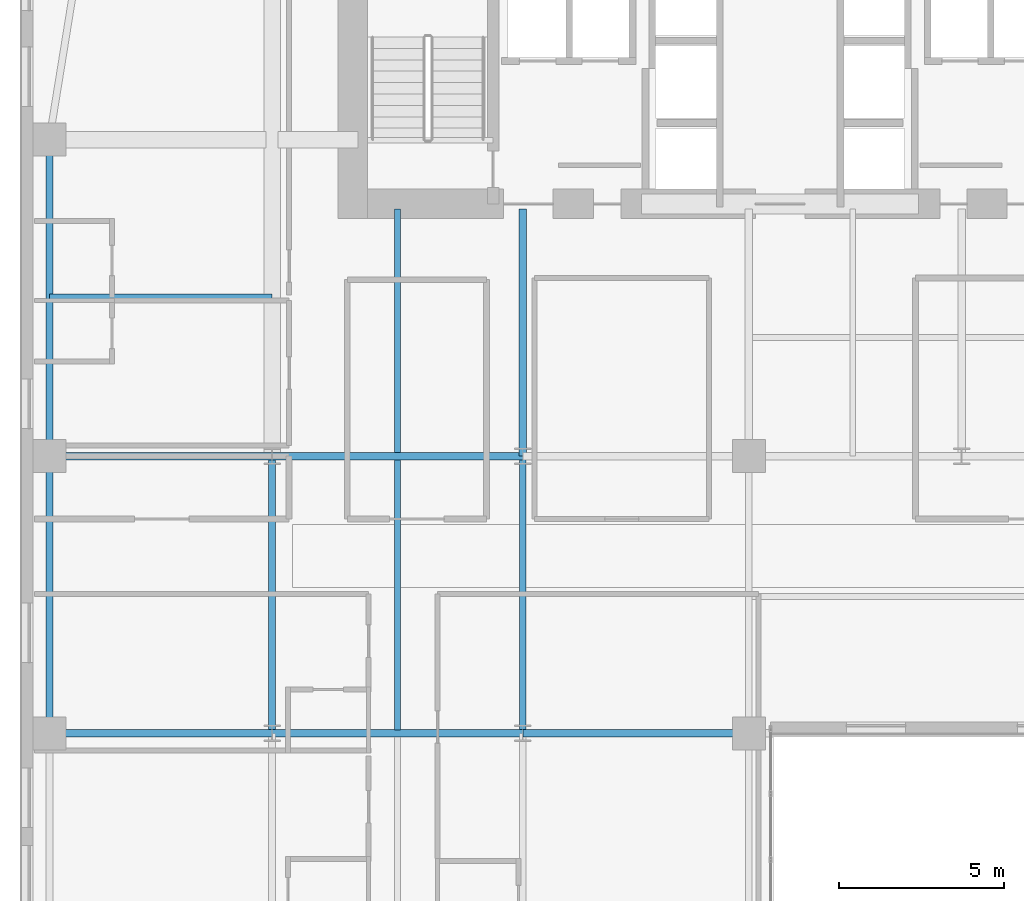
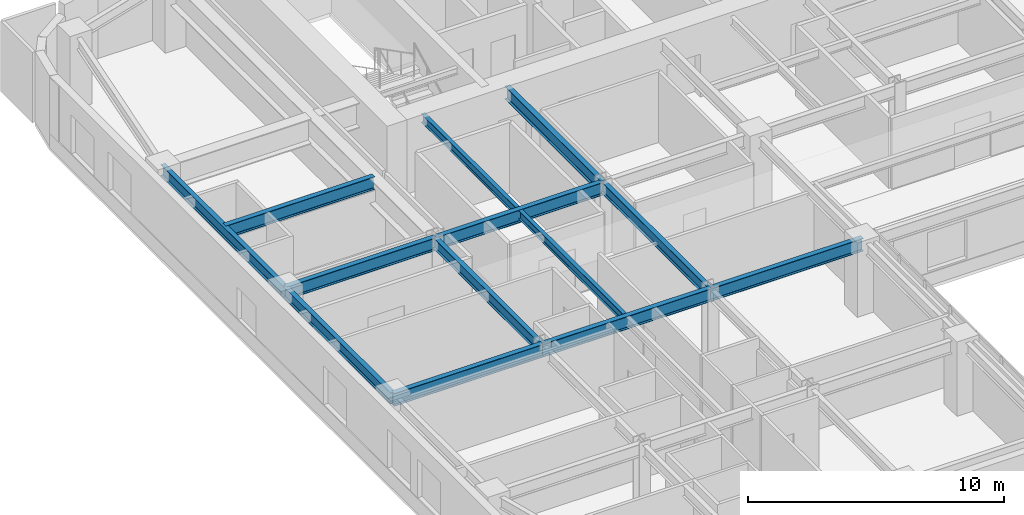
# One storey, part 4 of 25: 13 beams.
"""IFC4 building model written with IfcOpenShell, lengths in metres."""

from ifc_helpers import new_model, si_unit, direction, frame, origin, origin_2d, place, context, subcontext, project, spatial, i_section, extrude, source, transform, mapped, material, material_profile, profile_set, type_object, type_shapes, element, save


model = new_model("IFC4")

# Units and contexts
model_context = context("Model", 3, precision=1e-05, world=origin(), true_north=direction((0.0, 1.0)))
body_context = subcontext(model_context, "Body", "Model", "MODEL_VIEW")
ifc_project = project(units=[si_unit("LENGTHUNIT", "METRE"), si_unit("AREAUNIT", "SQUARE_METRE"), si_unit("VOLUMEUNIT", "CUBIC_METRE"), si_unit("PLANEANGLEUNIT", "RADIAN"), si_unit("MASSUNIT", "GRAM", prefix="KILO")], contexts=[model_context])

# Site, building, storey
site_placement = place(None, origin())
site = spatial("IfcSite", under=ifc_project, at=site_placement, CompositionType="ELEMENT")
building_placement = place(site_placement, origin())
building = spatial("IfcBuilding", under=site, at=building_placement, Name="Tolvann Quenvar Hotel", CompositionType="ELEMENT")
storey_placement = place(building_placement, frame((0.0, 0.0, 60.39990234375)))
storey = spatial("IfcBuildingStorey", under=building, at=storey_placement, Name="L14", CompositionType="ELEMENT", Elevation=60.39990234375)

# Beams
ifc_material = material(Name="Steel Grade 350", Category="steel")
ifc_material_profile_1 = material_profile(ifc_material, i_section(OverallWidth=0.22900390625, OverallDepth=0.612060546875, WebThickness=0.011962890625, FlangeThickness=0.01953125, FilletRadius=0.013916015625, at=origin_2d()), Name="610UB125")
ifc_profile_set_1 = profile_set([ifc_material_profile_1], Name="Steel Grade 350")
beam_type_1 = type_object("IfcBeamType", Name="BM_GIRD_610UB125", PredefinedType="BEAM", material=ifc_profile_set_1)
shared_shape_1 = source(origin(), body_context, "Body", "SweptSolid", [
    extrude(i_section(OverallWidth=0.22900390625, OverallDepth=0.612060546875, WebThickness=0.011962890625, FlangeThickness=0.01953125, FilletRadius=0.013916015625, at=origin_2d()), origin(), (0.0, 0.0, 1.0), 6.75),
])
for number, where, z_axis, x_axis, name in (
    (1, (0.85009765625, 16.0, 3.064208984375), (1.0, 0.0, 0.0), (0.0, 1.0, 0.0), "BM-L14-EW-4-B4-C4"),
    (2, (0.85009765625, 24.39990234375, 3.064208984375), (1.0, 0.0, 0.0), (0.0, 1.0, 0.0), "BM-L14-EW-5-B5-C5"),
    (3, (0.85009765625, 29.199951171875, 3.064208984375), (1.0, 0.0, 0.0), (0.0, 1.0, 0.0), "BM-L14-EW-BC29"),
):
    element("IfcBeam", number, at=place(storey_placement, frame(where, z_axis=z_axis, x_axis=x_axis)), inside=storey, type_object=beam_type_1, Name=name, PredefinedType="BEAM", context=body_context, shape_type="MappedRepresentation", body=[
        mapped(shared_shape_1, transform((0.0, 0.0, 0.0), x_axis=(1.0, 0.0, 0.0), y_axis=(0.0, 1.0, 0.0), z_axis=(0.0, 0.0, 1.0), scale=1.0)),
    ])
shared_shape_2 = source(origin(), body_context, "Body", "SweptSolid", [
    extrude(i_section(OverallWidth=0.22900390625, OverallDepth=0.612060546875, WebThickness=0.011962890625, FlangeThickness=0.01953125, FilletRadius=0.013916015625, at=origin_2d()), origin(), (0.0, 0.0, 1.0), 7.599853515625),
])
for number, where, z_axis, x_axis, name in (
    (4, (7.60009765625, 16.0, 3.064208984375), (1.0, 0.0, 0.0), (0.0, 1.0, 0.0), "BM-L14-EW-4-C4-D4"),
    (5, (7.60009765625, 24.39990234375, 3.064208984375), (1.0, 0.0, 0.0), (0.0, 1.0, 0.0), "BM-L14-EW-5-C5-D5"),
):
    element("IfcBeam", number, at=place(storey_placement, frame(where, z_axis=z_axis, x_axis=x_axis)), inside=storey, type_object=beam_type_1, Name=name, PredefinedType="BEAM", context=body_context, shape_type="MappedRepresentation", body=[
        mapped(shared_shape_2, transform((0.0, 0.0, 0.0), x_axis=(1.0, 0.0, 0.0), y_axis=(0.0, 1.0, 0.0), z_axis=(0.0, 0.0, 1.0), scale=1.0)),
    ])
shared_shape_3 = source(origin(), body_context, "Body", "SweptSolid", [
    extrude(i_section(OverallWidth=0.22900390625, OverallDepth=0.612060546875, WebThickness=0.011962890625, FlangeThickness=0.01953125, FilletRadius=0.013916015625, at=origin_2d()), origin(), (0.0, 0.0, 1.0), 6.85009765625),
])
beam_1_placement = place(storey_placement, frame((15.199951171875, 16.0, 3.064208984375), z_axis=(1.0, 0.0, 0.0), x_axis=(0.0, 1.0, 0.0)))
element("IfcBeam", 6, at=beam_1_placement, inside=storey, type_object=beam_type_1, Name="BM-L14-EW-4-D4-E4", PredefinedType="BEAM", context=body_context, shape_type="MappedRepresentation", body=[
    mapped(shared_shape_3, transform((0.0, 0.0, 0.0), x_axis=(1.0, 0.0, 0.0), y_axis=(0.0, 1.0, 0.0), z_axis=(0.0, 0.0, 1.0), scale=1.0)),
])
ifc_material_profile_2 = material_profile(ifc_material, i_section(OverallWidth=0.208984375, OverallDepth=0.528076171875, WebThickness=0.009521484375, FlangeThickness=0.01318359375, FilletRadius=0.013916015625, at=origin_2d()), Name="530UB82")
ifc_profile_set_2 = profile_set([ifc_material_profile_2], Name="Steel Grade 350")
beam_type_2 = type_object("IfcBeamType", Name="BM_SPAND_530UB82", PredefinedType="SPANDREL", material=ifc_profile_set_2)
shared_shape_4 = source(origin(), body_context, "Body", "SweptSolid", [
    extrude(i_section(OverallWidth=0.208984375, OverallDepth=0.528076171875, WebThickness=0.009521484375, FlangeThickness=0.01318359375, FilletRadius=0.013916015625, at=origin_2d()), origin(), (0.0, 0.0, 1.0), 8.39990234375),
])
beam_2_placement = place(storey_placement, frame((0.85009765625, 16.0, 3.106201171875), z_axis=(0.0, 1.0, 0.0), x_axis=(-1.0, 0.0, 0.0)))
element("IfcBeam", 7, at=beam_2_placement, inside=storey, type_object=beam_type_2, Name="BM-L14-NS-B4-B5", PredefinedType="SPANDREL", context=body_context, shape_type="MappedRepresentation", body=[
    mapped(shared_shape_4, transform((0.0, 0.0, 0.0), x_axis=(1.0, 0.0, 0.0), y_axis=(0.0, 1.0, 0.0), z_axis=(0.0, 0.0, 1.0), scale=1.0)),
])
ifc_material_profile_3 = material_profile(ifc_material, i_section(OverallWidth=0.208984375, OverallDepth=0.532958984375, WebThickness=0.01025390625, FlangeThickness=0.015625, FilletRadius=0.013916015625, at=origin_2d()), Name="530UB92")
ifc_profile_set_3 = profile_set([ifc_material_profile_3], Name="Steel Grade 350")
beam_type_3 = type_object("IfcBeamType", Name="BM_GIRD_530UB92", PredefinedType="BEAM", material=ifc_profile_set_3)
shared_shape_5 = source(origin(), body_context, "Body", "SweptSolid", [
    extrude(i_section(OverallWidth=0.208984375, OverallDepth=0.532958984375, WebThickness=0.01025390625, FlangeThickness=0.015625, FilletRadius=0.013916015625, at=origin_2d()), origin(), (0.0, 0.0, 1.0), 8.39990234375),
])
type_shapes(beam_type_3, [shared_shape_5])
for number, where, z_axis, x_axis, name in (
    (8, (7.60009765625, 16.0, 3.103515625), (0.0, 1.0, 0.0), (-1.0, 0.0, 0.0), "BM-L14-NS-C4-C5"),
    (9, (15.199951171875, 16.0, 3.103515625), (0.0, 1.0, 0.0), (-1.0, 0.0, 0.0), "BM-L14-NS-D4-D5"),
):
    element("IfcBeam", number, at=place(storey_placement, frame(where, z_axis=z_axis, x_axis=x_axis)), inside=storey, type_object=beam_type_3, Name=name, PredefinedType="BEAM", context=body_context, shape_type="MappedRepresentation", body=[
        mapped(shared_shape_5, transform((0.0, 0.0, 0.0), x_axis=(1.0, 0.0, 0.0), y_axis=(0.0, 1.0, 0.0), z_axis=(0.0, 0.0, 1.0), scale=1.0)),
    ])
shared_shape_6 = source(origin(), body_context, "Body", "SweptSolid", [
    extrude(i_section(OverallWidth=0.22900390625, OverallDepth=0.612060546875, WebThickness=0.011962890625, FlangeThickness=0.01953125, FilletRadius=0.013916015625, at=origin_2d()), origin(), (0.0, 0.0, 1.0), 7.5),
])
type_shapes(beam_type_1, [shared_shape_1, shared_shape_2, shared_shape_3, shared_shape_6])
beam_3_placement = place(storey_placement, frame((15.199951171875, 24.39990234375, 3.064208984375), z_axis=(0.0, 1.0, 0.0), x_axis=(-1.0, 0.0, 0.0)))
element("IfcBeam", 10, at=beam_3_placement, inside=storey, type_object=beam_type_1, Name="BM-L14-CORE-D5", PredefinedType="BEAM", context=body_context, shape_type="MappedRepresentation", body=[
    mapped(shared_shape_6, transform((0.0, 0.0, 0.0), x_axis=(1.0, 0.0, 0.0), y_axis=(0.0, 1.0, 0.0), z_axis=(0.0, 0.0, 1.0), scale=1.0)),
])
shared_shape_7 = source(origin(), body_context, "Body", "SweptSolid", [
    extrude(i_section(OverallWidth=0.208984375, OverallDepth=0.528076171875, WebThickness=0.009521484375, FlangeThickness=0.01318359375, FilletRadius=0.013916015625, at=origin_2d()), origin(), (0.0, 0.0, 1.0), 9.60009765625),
])
type_shapes(beam_type_2, [shared_shape_4, shared_shape_7])
beam_4_placement = place(storey_placement, frame((0.85009765625, 24.39990234375, 3.106201171875), z_axis=(0.0, 1.0, 0.0), x_axis=(-1.0, 0.0, 0.0)))
element("IfcBeam", 11, at=beam_4_placement, inside=storey, type_object=beam_type_2, Name="BM-L14-FLK-W1", PredefinedType="SPANDREL", context=body_context, shape_type="MappedRepresentation", body=[
    mapped(shared_shape_7, transform((0.0, 0.0, 0.0), x_axis=(1.0, 0.0, 0.0), y_axis=(0.0, 1.0, 0.0), z_axis=(0.0, 0.0, 1.0), scale=1.0)),
])
ifc_material_profile_4 = material_profile(ifc_material, i_section(OverallWidth=0.177978515625, OverallDepth=0.406005859375, WebThickness=0.0078125, FlangeThickness=0.0126953125, FilletRadius=0.011474609375, at=origin_2d()), Name="410UB60")
ifc_profile_set_4 = profile_set([ifc_material_profile_4], Name="Steel Grade 350")
beam_type_4 = type_object("IfcBeamType", Name="BM_JOIST_410UB60", PredefinedType="JOIST", material=ifc_profile_set_4)
shared_shape_8 = source(origin(), body_context, "Body", "SweptSolid", [
    extrude(i_section(OverallWidth=0.177978515625, OverallDepth=0.406005859375, WebThickness=0.0078125, FlangeThickness=0.0126953125, FilletRadius=0.011474609375, at=origin_2d()), origin(), (0.0, 0.0, 1.0), 8.18310546875),
])
beam_5_placement = place(storey_placement, frame((11.39990234375, 16.1083984375, 3.1669921875), z_axis=(0.0, 1.0, 0.0), x_axis=(-1.0, 0.0, 0.0)))
element("IfcBeam", 12, at=beam_5_placement, inside=storey, type_object=beam_type_4, Name="BJ-L14-114-160", PredefinedType="JOIST", context=body_context, shape_type="MappedRepresentation", body=[
    mapped(shared_shape_8, transform((0.0, 0.0, 0.0), x_axis=(1.0, 0.0, 0.0), y_axis=(0.0, 1.0, 0.0), z_axis=(0.0, 0.0, 1.0), scale=1.0)),
])
shared_shape_9 = source(origin(), body_context, "Body", "SweptSolid", [
    extrude(i_section(OverallWidth=0.177978515625, OverallDepth=0.406005859375, WebThickness=0.0078125, FlangeThickness=0.0126953125, FilletRadius=0.011474609375, at=origin_2d()), origin(), (0.0, 0.0, 1.0), 7.391357421875),
])
type_shapes(beam_type_4, [shared_shape_8, shared_shape_9])
beam_6_placement = place(storey_placement, frame((11.39990234375, 24.508544921875, 3.1669921875), z_axis=(0.0, 1.0, 0.0), x_axis=(-1.0, 0.0, 0.0)))
element("IfcBeam", 13, at=beam_6_placement, inside=storey, type_object=beam_type_4, Name="BJ-L14-114-244", PredefinedType="JOIST", context=body_context, shape_type="MappedRepresentation", body=[
    mapped(shared_shape_9, transform((0.0, 0.0, 0.0), x_axis=(1.0, 0.0, 0.0), y_axis=(0.0, 1.0, 0.0), z_axis=(0.0, 0.0, 1.0), scale=1.0)),
])

save(model, "model.ifc")
